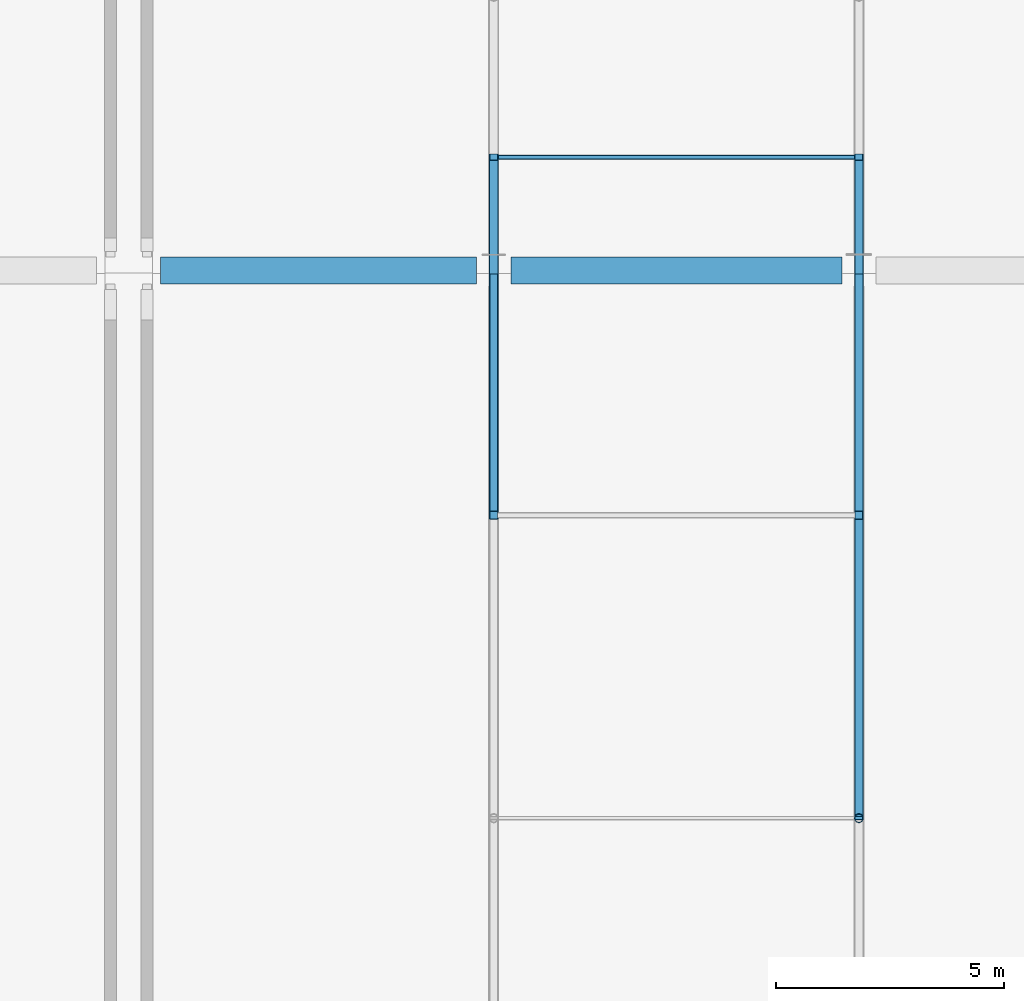
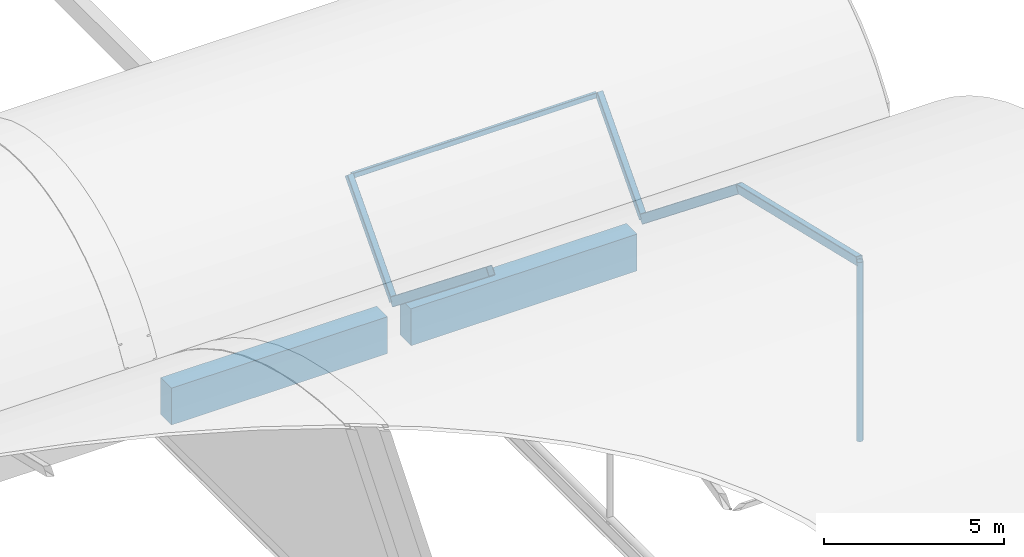
# One storey, part 10 of 57: 7 members, 2 beams.
"""IFC4 building model written with IfcOpenShell, lengths in metres."""

from ifc_helpers import new_model, si_unit, direction, frame, origin, origin_2d, place, context, subcontext, project, spatial, rectangle, hollow_rectangle, hollow_circle, extrude, material, material_profile, profile_set, type_object, element, save


model = new_model("IFC4")

# Units and contexts
model_context = context("Model", 3, precision=1e-05, world=origin(), true_north=direction((0.0, 1.0)))
body_context = subcontext(model_context, "Body", "Model", "MODEL_VIEW")
ifc_project = project(units=[si_unit("LENGTHUNIT", "METRE"), si_unit("AREAUNIT", "SQUARE_METRE"), si_unit("VOLUMEUNIT", "CUBIC_METRE"), si_unit("PLANEANGLEUNIT", "RADIAN"), si_unit("MASSUNIT", "GRAM", prefix="KILO"), si_unit("THERMODYNAMICTEMPERATUREUNIT", "KELVIN"), si_unit("POWERUNIT", "WATT")], contexts=[model_context])

# Site, building, storey
site_placement = place(None, origin())
site = spatial("IfcSite", under=ifc_project, at=site_placement, CompositionType="ELEMENT")
building_placement = place(site_placement, origin())
building = spatial("IfcBuilding", under=site, at=building_placement, Name="Kronsvod Quay Wholesale Market", CompositionType="ELEMENT")
storey_placement = place(building_placement, frame((0.0, 0.0, 13.199951171875)))
storey = spatial("IfcBuildingStorey", under=building, at=storey_placement, Name="L03", CompositionType="ELEMENT", Elevation=13.199951171875)

# Beams
ifc_material_1 = material(Name="Precast concrete C40/50", Category="concrete")
ifc_material_profile_1 = material_profile(ifc_material_1, rectangle(XDim=0.60009765625, YDim=1.25, at=origin_2d()), Name="PCVG600x1250")
ifc_profile_set_1 = profile_set([ifc_material_profile_1], Name="Precast concrete C40/50")
beam_type = type_object("IfcBeamType", Name="Girder_PCVG600x1250", PredefinedType="T_BEAM", material=ifc_profile_set_1)
beam_1_placement = place(storey_placement, frame((64.699951171875, 78.0, -0.844970703125), z_axis=(1.0, 0.0, 0.0), x_axis=(0.0, 1.0, 0.0)))
element("IfcBeam", 1, at=beam_1_placement, inside=storey, type_object=beam_type, Name="BMX-L03-644-780", PredefinedType="T_BEAM", context=body_context, shape_type="SweptSolid", body=[
    extrude(rectangle(XDim=0.60009765625, YDim=1.25, at=origin_2d()), origin(), (0.0, 0.0, 1.0), 6.925048828125),
])
beam_2_placement = place(storey_placement, frame((72.375, 78.0, -0.844970703125), z_axis=(1.0, 0.0, 0.0), x_axis=(0.0, 1.0, 0.0)))
element("IfcBeam", 2, at=beam_2_placement, inside=storey, type_object=beam_type, Name="BMX-L03-720-780", PredefinedType="T_BEAM", context=body_context, shape_type="SweptSolid", body=[
    extrude(rectangle(XDim=0.60009765625, YDim=1.25, at=origin_2d()), origin(), (0.0, 0.0, 1.0), 7.25),
])

# Members
ifc_material_2 = material(Name="Steel S355", Category="steel")
ifc_material_profile_2 = material_profile(ifc_material_2, hollow_rectangle(XDim=0.199951171875, YDim=0.199951171875, WallThickness=0.010009765625, InnerFilletRadius=0.010009765625, OuterFilletRadius=0.02001953125, at=origin_2d()), Name="RHS200x200x10")
ifc_profile_set_2 = profile_set([ifc_material_profile_2], Name="Steel S355")
member_type_1 = type_object("IfcMemberType", Name="Member_Arch200x200", PredefinedType="RAFTER", material=ifc_profile_set_2)
for number, where, z_axis, x_axis, name in (
    (3, (72.0, 78.0, -0.010009765625), (0.0, 0.66547990509, 0.746415766126), (-1.0, 0.0, 0.0), "ARCG-SH-V1C-N-720-0"),
    (4, (80.0, 78.0, -0.010009765625), (0.0, 0.66547990509, 0.746415766126), (-1.0, 0.0, 0.0), "ARCG-SH-V1C-N-800-0"),
):
    element("IfcMember", number, at=place(storey_placement, frame(where, z_axis=z_axis, x_axis=x_axis)), inside=storey, type_object=member_type_1, Name=name, PredefinedType="RAFTER", context=body_context, shape_type="SweptSolid", body=[
        extrude(hollow_rectangle(XDim=0.199951171875, YDim=0.199951171875, WallThickness=0.010009765625, InnerFilletRadius=0.010009765625, OuterFilletRadius=0.02001953125, at=origin_2d()), origin(), (0.0, 0.0, 1.0), 3.7314453125),
    ])
ifc_material_3 = material(Name="Steel S355", Category="steel")
ifc_material_profile_3 = material_profile(ifc_material_3, hollow_rectangle(XDim=0.199951171875, YDim=0.300048828125, WallThickness=0.011962890625, InnerFilletRadius=0.011962890625, OuterFilletRadius=0.02392578125, at=origin_2d()), Name="RHS300x200x12")
ifc_profile_set_3 = profile_set([ifc_material_profile_3], Name="Steel S355")
member_type_2 = type_object("IfcMemberType", Name="Member_Arch300x200", PredefinedType="RAFTER", material=ifc_profile_set_3)
member_1_placement = place(storey_placement, frame((72.0, 72.63671875, 4.2734375), z_axis=(0.0, 0.781378659876, -0.624057200816), x_axis=(-1.0, 0.0, 0.0)))
element("IfcMember", 5, at=member_1_placement, inside=storey, type_object=member_type_2, Name="ARCG-SH-V1C-M-720-3", PredefinedType="RAFTER", context=body_context, shape_type="SweptSolid", body=[
    extrude(hollow_rectangle(XDim=0.199951171875, YDim=0.300048828125, WallThickness=0.011962890625, InnerFilletRadius=0.011962890625, OuterFilletRadius=0.02392578125, at=origin_2d()), origin(), (0.0, 0.0, 1.0), 6.86376953125),
])
member_2_placement = place(storey_placement, frame((80.0, 66.0, 5.840087890625), z_axis=(0.0, 0.973251166163, -0.229743699723), x_axis=(-1.0, 0.0, 0.0)))
element("IfcMember", 6, at=member_2_placement, inside=storey, type_object=member_type_2, Name="ARCG-SH-V1C-M-800-2", PredefinedType="RAFTER", context=body_context, shape_type="SweptSolid", body=[
    extrude(hollow_rectangle(XDim=0.199951171875, YDim=0.300048828125, WallThickness=0.011962890625, InnerFilletRadius=0.011962890625, OuterFilletRadius=0.02392578125, at=origin_2d()), origin(), (0.0, 0.0, 1.0), 6.819091796875),
])
member_3_placement = place(storey_placement, frame((80.0, 72.63671875, 4.2734375), z_axis=(0.0, 0.781378659876, -0.624057200816), x_axis=(-1.0, 0.0, 0.0)))
element("IfcMember", 7, at=member_3_placement, inside=storey, type_object=member_type_2, Name="ARCG-SH-V1C-M-800-3", PredefinedType="RAFTER", context=body_context, shape_type="SweptSolid", body=[
    extrude(hollow_rectangle(XDim=0.199951171875, YDim=0.300048828125, WallThickness=0.011962890625, InnerFilletRadius=0.011962890625, OuterFilletRadius=0.02392578125, at=origin_2d()), origin(), (0.0, 0.0, 1.0), 6.86376953125),
])
ifc_material_4 = material(Name="Steel S355", Category="steel")
ifc_material_profile_4 = material_profile(ifc_material_4, hollow_circle(Radius=0.096923828125, WallThickness=0.008056640625, at=origin_2d()), Name="CHS194x8")
ifc_profile_set_4 = profile_set([ifc_material_profile_4], Name="Steel S355")
member_type_3 = type_object("IfcMemberType", Name="Member_Brace194x8", PredefinedType="BRACE", material=ifc_profile_set_4)
member_4_placement = place(storey_placement, frame((80.0, 66.0, -0.22998046875), z_axis=(0.0, 0.0, 1.0), x_axis=(1.0, 0.0, 0.0)))
element("IfcMember", 8, at=member_4_placement, inside=storey, type_object=member_type_3, Name="KPST-SH-V1C-M-800", PredefinedType="BRACE", context=body_context, shape_type="SweptSolid", body=[
    extrude(hollow_circle(Radius=0.096923828125, WallThickness=0.008056640625, at=origin_2d()), origin(), (0.0, 0.0, 1.0), 6.070068359375),
])
ifc_material_5 = material(Name="Steel S355", Category="steel")
ifc_material_profile_5 = material_profile(ifc_material_5, hollow_rectangle(XDim=0.10009765625, YDim=0.179931640625, WallThickness=0.008056640625, InnerFilletRadius=0.008056640625, OuterFilletRadius=0.01611328125, at=origin_2d()), Name="RHS180x100x8")
ifc_profile_set_5 = profile_set([ifc_material_profile_5], Name="Steel S355")
member_type_4 = type_object("IfcMemberType", Name="Member_Purlin180x100", PredefinedType="PURLIN", material=ifc_profile_set_5)
member_5_placement = place(storey_placement, frame((72.080078125, 80.483154296875, 2.71533203125), z_axis=(1.0, 0.0, 0.0), x_axis=(0.0, 1.0, 0.0)))
element("IfcMember", 9, at=member_5_placement, inside=storey, type_object=member_type_4, Name="PRLG-SH-V1C-N-0-0", PredefinedType="PURLIN", context=body_context, shape_type="SweptSolid", body=[
    extrude(hollow_rectangle(XDim=0.10009765625, YDim=0.179931640625, WallThickness=0.008056640625, InnerFilletRadius=0.008056640625, OuterFilletRadius=0.01611328125, at=origin_2d()), origin(), (0.0, 0.0, 1.0), 7.83984375),
])

save(model, "model.ifc")
